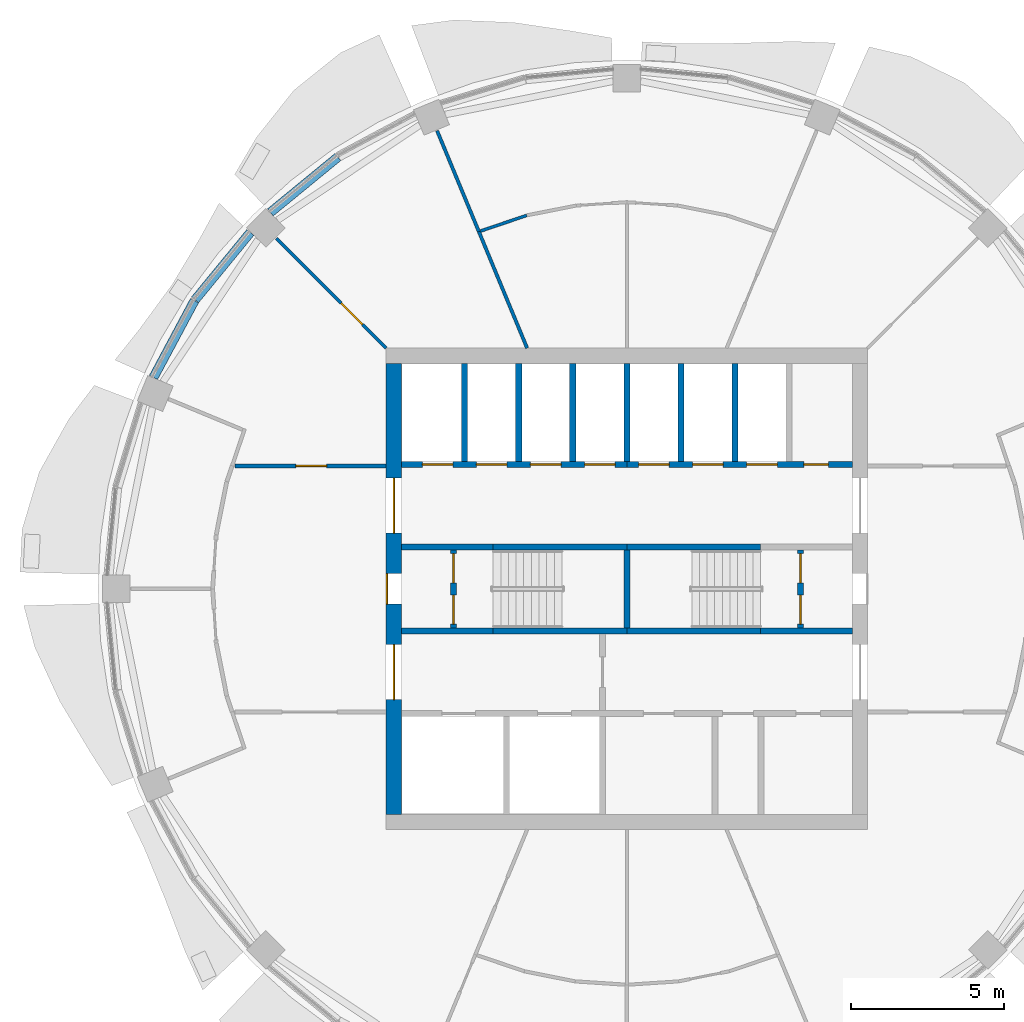
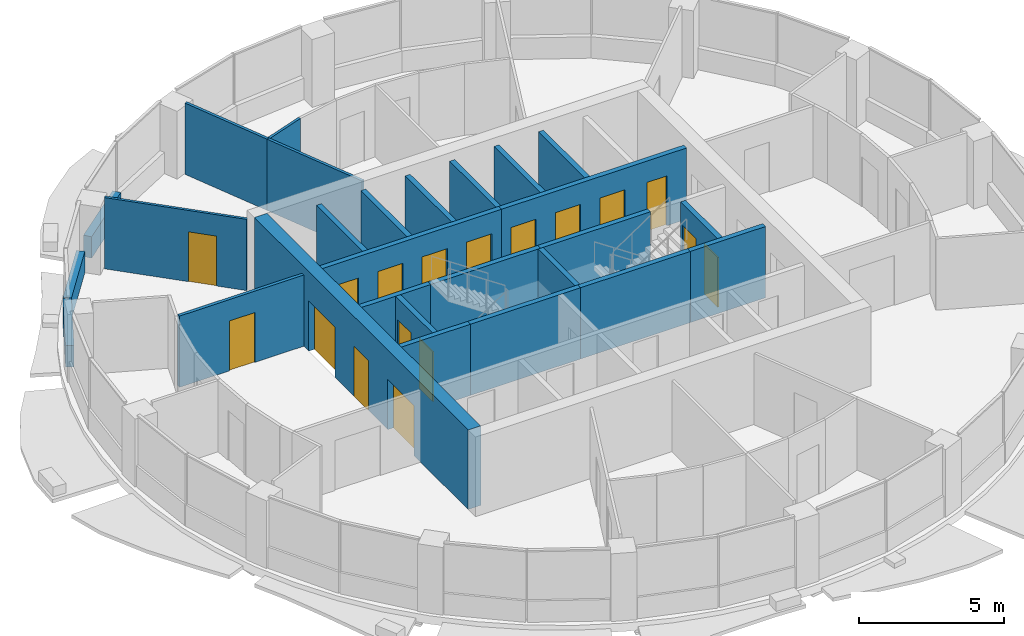
# One storey, part 9 of 15: 27 walls, 17 doors, 17 openings.
"""IFC4 building model written with IfcOpenShell, lengths in metres."""

from ifc_helpers import new_model, si_unit, direction, frame, frame_2d, origin, place, context, subcontext, project, spatial, rectangle, extrude, material, layer, layer_set, type_object, element, fill, save


model = new_model("IFC4")

# Units and contexts
model_context = context("Model", 3, precision=1e-05, world=origin(), true_north=direction((0.0, 1.0)))
body_context = subcontext(model_context, "Body", "Model", "MODEL_VIEW")
ifc_project = project(units=[si_unit("LENGTHUNIT", "METRE"), si_unit("AREAUNIT", "SQUARE_METRE"), si_unit("VOLUMEUNIT", "CUBIC_METRE"), si_unit("PLANEANGLEUNIT", "RADIAN"), si_unit("MASSUNIT", "GRAM", prefix="KILO")], contexts=[model_context])

# Site, building, storey
site_placement = place(None, origin())
site = spatial("IfcSite", under=ifc_project, at=site_placement, CompositionType="ELEMENT")
building_placement = place(site_placement, origin())
building = spatial("IfcBuilding", under=site, at=building_placement, Name="Polderwave Tower", CompositionType="ELEMENT")
storey_placement = place(building_placement, frame((0.0, 0.0, 201.050048828125)))
storey = spatial("IfcBuildingStorey", under=building, at=storey_placement, Name="L54", CompositionType="ELEMENT", Elevation=201.050048828125)

# Wall, openings, doors
ifc_material_1 = material(Name="Concrete C60/75", Category="concrete")
ifc_layer_1 = layer(ifc_material_1, 0.5)
ifc_layer_set_1 = layer_set([ifc_layer_1], Name="CORE WALL 500 C60/75")
wall_type_1 = type_object("IfcWallType", Name="CORE WALL 500 C60/75", PredefinedType="SHEAR", material=ifc_layer_set_1)
wall_1_placement = place(storey_placement, frame((-7.6240234375, -7.3740234375, 0.0), z_axis=(0.0, 0.0, 1.0), x_axis=(0.0, 1.0, 0.0)))
wall_1 = element("IfcWall", 1, at=wall_1_placement, inside=storey, type_object=wall_type_1, Name="ST-CORE-L54-W", PredefinedType="SHEAR", context=body_context, shape_type="SweptSolid", body=[
    extrude(rectangle(XDim=14.748046875, YDim=0.5, at=frame_2d((7.3740234375, 0.0))), origin(), (0.0, 0.0, 1.0), 3.349853515625),
])
opening_1_placement = place(wall_1_placement, frame((6.8740234375, 0.0, 0.0)))
opening_1 = element("IfcOpeningElement", 2, at=opening_1_placement, cuts=wall_1, Name="Opening L54-D19", PredefinedType="OPENING", context=body_context, shape_type="SweptSolid", body=[
    extrude(rectangle(XDim=1.0, YDim=2.10009765625, at=frame_2d((0.5, 1.050048828125))), frame((0.0, 0.260009765625, 0.0), z_axis=(0.0, -1.0, 0.0), x_axis=(1.0, 0.0, 0.0)), (0.0, 0.0, 1.0), 0.52001953125),
])
opening_2_placement = place(wall_1_placement, frame((3.74951171875, 0.0, 0.0)))
opening_2 = element("IfcOpeningElement", 3, at=opening_2_placement, cuts=wall_1, Name="Opening L54-D20", PredefinedType="OPENING", context=body_context, shape_type="SweptSolid", body=[
    extrude(rectangle(XDim=1.800048828125, YDim=2.10009765625, at=frame_2d((0.89990234375, 1.050048828125))), frame((0.0, 0.260009765625, 0.0), z_axis=(0.0, -1.0, 0.0), x_axis=(1.0, 0.0, 0.0)), (0.0, 0.0, 1.0), 0.52001953125),
])
opening_3_placement = place(wall_1_placement, frame((9.198486328125, 0.0, 0.0)))
opening_3 = element("IfcOpeningElement", 4, at=opening_3_placement, cuts=wall_1, Name="Opening L54-D21", PredefinedType="OPENING", context=body_context, shape_type="SweptSolid", body=[
    extrude(rectangle(XDim=1.800048828125, YDim=2.10009765625, at=frame_2d((0.89990234375, 1.050048828125))), frame((0.0, 0.260009765625, 0.0), z_axis=(0.0, -1.0, 0.0), x_axis=(1.0, 0.0, 0.0)), (0.0, 0.0, 1.0), 0.52001953125),
])
ifc_material_2 = material(Name="Steel fire door", Category="steel")
door_type_1 = type_object("IfcDoorType", Name="Lobby entry door pair 1800", OperationType="DOUBLE_DOOR_SINGLE_SWING", PredefinedType="DOOR", material=ifc_material_2)
door_1_placement = place(opening_2_placement, origin())
door_1 = element("IfcDoor", 5, at=door_1_placement, inside=storey, type_object=door_type_1, Name="Fire-fighting lobby entry door", OperationType="DOUBLE_DOOR_SINGLE_SWING", OverallHeight=2.10009765625, OverallWidth=1.800048828125, PredefinedType="DOOR", context=body_context, shape_type="SweptSolid", body=[
    extrude(rectangle(XDim=1.800048828125, YDim=2.10009765625, at=frame_2d((0.89990234375, 1.050048828125))), frame((0.0, 0.02490234375, 0.0), z_axis=(0.0, -1.0, 0.0), x_axis=(1.0, 0.0, 0.0)), (0.0, 0.0, 1.0), 0.050048828125),
])
fill(opening_2, door_1)
door_2_placement = place(opening_3_placement, origin())
door_2 = element("IfcDoor", 6, at=door_2_placement, inside=storey, type_object=door_type_1, Name="North lobby entry door", OperationType="DOUBLE_DOOR_SINGLE_SWING", OverallHeight=2.10009765625, OverallWidth=1.800048828125, PredefinedType="DOOR", context=body_context, shape_type="SweptSolid", body=[
    extrude(rectangle(XDim=1.800048828125, YDim=2.10009765625, at=frame_2d((0.89990234375, 1.050048828125))), frame((0.0, 0.02490234375, 0.0), z_axis=(0.0, -1.0, 0.0), x_axis=(1.0, 0.0, 0.0)), (0.0, 0.0, 1.0), 0.050048828125),
])
fill(opening_3, door_2)
door_type_2 = type_object("IfcDoorType", Name="Stair door 1000", OperationType="NOTDEFINED", PredefinedType="DOOR", material=ifc_material_2)
door_3_placement = place(opening_1_placement, origin())
door_3 = element("IfcDoor", 7, at=door_3_placement, inside=storey, type_object=door_type_2, Name="Stair A entry door", OperationType="SINGLE_SWING_RIGHT", OverallHeight=2.10009765625, OverallWidth=1.0, PredefinedType="DOOR", context=body_context, shape_type="SweptSolid", body=[
    extrude(rectangle(XDim=1.0, YDim=2.10009765625, at=frame_2d((0.5, 1.050048828125))), frame((0.0, 0.25, 0.0), z_axis=(0.0, -1.0, 0.0), x_axis=(1.0, 0.0, 0.0)), (0.0, 0.0, 1.0), 0.050048828125),
])
fill(opening_1, door_3)

# Walls
ifc_material_3 = material(Name="Concrete C50/60 (board-marked)", Category="concrete")
ifc_layer_2 = layer(ifc_material_3, 0.300048828125)
ifc_layer_set_2 = layer_set([ifc_layer_2], Name="Concrete spandrel upstand C50/60")
wall_type_2 = type_object("IfcWallType", Name="Concrete spandrel upstand C50/60", PredefinedType="SOLIDWALL", material=ifc_layer_set_2)
for number, where, z_axis, x_axis, name in (
    (8, (-9.45556640625, 14.12548828125, 0.0), (0.0, 0.0, 1.0), (-0.773213238462, -0.634146109242, 0.0), "Spandrel L54 6b"),
    (9, (-12.31640625, 11.661376953125, 0.0), (0.0, 0.0, 1.0), (-0.634146109242, -0.773213238462, 0.0), "Spandrel L54 7a"),
):
    element("IfcWall", number, at=place(storey_placement, frame(where, z_axis=z_axis, x_axis=x_axis)), inside=storey, type_object=wall_type_2, Name=name, PredefinedType="SOLIDWALL", context=body_context, shape_type="SweptSolid", body=[
        extrude(rectangle(XDim=2.852783203125, YDim=0.300048828125, at=frame_2d((1.42626953125, 0.0))), origin(), (0.0, 0.0, 1.0), 0.89990234375),
    ])
wall_2_placement = place(storey_placement, frame((-14.14208984375, 9.430908203125, 0.0), z_axis=(0.0, 0.0, 1.0), x_axis=(-0.471441594872, -0.881897285756, 0.0)))
element("IfcWall", 10, at=wall_2_placement, inside=storey, type_object=wall_type_2, Name="Spandrel L54 7b", PredefinedType="SOLIDWALL", context=body_context, shape_type="SweptSolid", body=[
    extrude(rectangle(XDim=2.850341796875, YDim=0.300048828125, at=frame_2d((1.42529296875, 0.0))), origin(), (0.0, 0.0, 1.0), 0.89990234375),
])

# Wall, openings, doors
ifc_material_4 = material(Name="Gypsum board partition")
ifc_layer_3 = layer(ifc_material_4, 0.199951171875)
ifc_layer_set_3 = layer_set([ifc_layer_3], Name="Core room partition 200")
wall_type_3 = type_object("IfcWallType", Name="Core room partition 200", PredefinedType="PARTITIONING", material=ifc_layer_set_3)
wall_3_placement = place(storey_placement, frame((-5.674072265625, -1.27490234375, 0.0), z_axis=(0.0, 0.0, 1.0), x_axis=(0.0, 1.0, 0.0)))
wall_3 = element("IfcWall", 11, at=wall_3_placement, inside=storey, type_object=wall_type_3, Name="L54 smoke lobby wall A", PredefinedType="PARTITIONING", context=body_context, shape_type="SweptSolid", body=[
    extrude(rectangle(XDim=2.5498046875, YDim=0.199951171875, at=frame_2d((1.27490234375, 0.0))), origin(), (0.0, 0.0, 1.0), 3.0),
])
opening_4_placement = place(wall_3_placement, frame((0.125, 0.0, 0.0)))
opening_4 = element("IfcOpeningElement", 12, at=opening_4_placement, cuts=wall_3, Name="Opening L54-D10", PredefinedType="OPENING", context=body_context, shape_type="SweptSolid", body=[
    extrude(rectangle(XDim=0.949951171875, YDim=2.10009765625, at=frame_2d((0.47509765625, 1.050048828125))), frame((0.0, 0.10986328125, 0.0), z_axis=(0.0, -1.0, 0.0), x_axis=(1.0, 0.0, 0.0)), (0.0, 0.0, 1.0), 0.219970703125),
])
opening_5_placement = place(wall_3_placement, frame((1.47509765625, 0.0, 0.0)))
opening_5 = element("IfcOpeningElement", 13, at=opening_5_placement, cuts=wall_3, Name="Opening L54-D11", PredefinedType="OPENING", context=body_context, shape_type="SweptSolid", body=[
    extrude(rectangle(XDim=0.949951171875, YDim=2.10009765625, at=frame_2d((0.47509765625, 1.050048828125))), frame((0.0, 0.10986328125, 0.0), z_axis=(0.0, -1.0, 0.0), x_axis=(1.0, 0.0, 0.0)), (0.0, 0.0, 1.0), 0.219970703125),
])
door_type_3 = type_object("IfcDoorType", Name="Smoke lobby door 950", OperationType="NOTDEFINED", PredefinedType="DOOR", material=ifc_material_2)
door_4_placement = place(opening_4_placement, origin())
door_4 = element("IfcDoor", 14, at=door_4_placement, inside=storey, type_object=door_type_3, Name="Stair A smoke lobby inner door", OperationType="SINGLE_SWING_LEFT", OverallHeight=2.10009765625, OverallWidth=0.949951171875, PredefinedType="DOOR", context=body_context, shape_type="SweptSolid", body=[
    extrude(rectangle(XDim=0.949951171875, YDim=2.10009765625, at=frame_2d((0.47509765625, 1.050048828125))), frame((0.0, 0.02490234375, 0.0), z_axis=(0.0, -1.0, 0.0), x_axis=(1.0, 0.0, 0.0)), (0.0, 0.0, 1.0), 0.050048828125),
])
fill(opening_4, door_4)
door_5_placement = place(opening_5_placement, origin())
door_5 = element("IfcDoor", 15, at=door_5_placement, inside=storey, type_object=door_type_3, Name="Stair A smoke lobby inner door", OperationType="SINGLE_SWING_RIGHT", OverallHeight=2.10009765625, OverallWidth=0.949951171875, PredefinedType="DOOR", context=body_context, shape_type="SweptSolid", body=[
    extrude(rectangle(XDim=0.949951171875, YDim=2.10009765625, at=frame_2d((0.47509765625, 1.050048828125))), frame((0.0, 0.02490234375, 0.0), z_axis=(0.0, -1.0, 0.0), x_axis=(1.0, 0.0, 0.0)), (0.0, 0.0, 1.0), 0.050048828125),
])
fill(opening_5, door_5)

wall_4_placement = place(storey_placement, frame((5.674072265625, -1.27490234375, 0.0), z_axis=(0.0, 0.0, 1.0), x_axis=(0.0, 1.0, 0.0)))
wall_4 = element("IfcWall", 16, at=wall_4_placement, inside=storey, type_object=wall_type_3, Name="L54 smoke lobby wall B", PredefinedType="PARTITIONING", context=body_context, shape_type="SweptSolid", body=[
    extrude(rectangle(XDim=2.5498046875, YDim=0.199951171875, at=frame_2d((1.27490234375, 0.0))), origin(), (0.0, 0.0, 1.0), 3.0),
])
opening_6_placement = place(wall_4_placement, frame((0.125, 0.0, 0.0)))
opening_6 = element("IfcOpeningElement", 17, at=opening_6_placement, cuts=wall_4, Name="Opening L54-D12", PredefinedType="OPENING", context=body_context, shape_type="SweptSolid", body=[
    extrude(rectangle(XDim=0.949951171875, YDim=2.10009765625, at=frame_2d((0.47509765625, 1.050048828125))), frame((0.0, 0.10986328125, 0.0), z_axis=(0.0, -1.0, 0.0), x_axis=(1.0, 0.0, 0.0)), (0.0, 0.0, 1.0), 0.219970703125),
])
opening_7_placement = place(wall_4_placement, frame((1.47509765625, 0.0, 0.0)))
opening_7 = element("IfcOpeningElement", 18, at=opening_7_placement, cuts=wall_4, Name="Opening L54-D13", PredefinedType="OPENING", context=body_context, shape_type="SweptSolid", body=[
    extrude(rectangle(XDim=0.949951171875, YDim=2.10009765625, at=frame_2d((0.47509765625, 1.050048828125))), frame((0.0, 0.10986328125, 0.0), z_axis=(0.0, -1.0, 0.0), x_axis=(1.0, 0.0, 0.0)), (0.0, 0.0, 1.0), 0.219970703125),
])
door_6_placement = place(opening_6_placement, frame((0.949951171875, 0.0, 0.0), z_axis=(0.0, 0.0, 1.0), x_axis=(-1.0, 0.0, 0.0)))
door_6 = element("IfcDoor", 19, at=door_6_placement, inside=storey, type_object=door_type_3, Name="Stair B smoke lobby inner door", OperationType="SINGLE_SWING_RIGHT", OverallHeight=2.10009765625, OverallWidth=0.949951171875, PredefinedType="DOOR", context=body_context, shape_type="SweptSolid", body=[
    extrude(rectangle(XDim=0.949951171875, YDim=2.10009765625, at=frame_2d((0.47509765625, 1.050048828125))), frame((0.0, 0.02490234375, 0.0), z_axis=(0.0, -1.0, 0.0), x_axis=(1.0, 0.0, 0.0)), (0.0, 0.0, 1.0), 0.050048828125),
])
fill(opening_6, door_6)
door_7_placement = place(opening_7_placement, frame((0.949951171875, 0.0, 0.0), z_axis=(0.0, 0.0, 1.0), x_axis=(-1.0, 0.0, 0.0)))
door_7 = element("IfcDoor", 20, at=door_7_placement, inside=storey, type_object=door_type_3, Name="Stair B smoke lobby inner door", OperationType="SINGLE_SWING_LEFT", OverallHeight=2.10009765625, OverallWidth=0.949951171875, PredefinedType="DOOR", context=body_context, shape_type="SweptSolid", body=[
    extrude(rectangle(XDim=0.949951171875, YDim=2.10009765625, at=frame_2d((0.47509765625, 1.050048828125))), frame((0.0, 0.02490234375, 0.0), z_axis=(0.0, -1.0, 0.0), x_axis=(1.0, 0.0, 0.0)), (0.0, 0.0, 1.0), 0.050048828125),
])
fill(opening_7, door_7)

ifc_material_5 = material(Name="Concrete C50/60", Category="concrete")
ifc_layer_4 = layer(ifc_material_5, 0.199951171875)
ifc_layer_set_4 = layer_set([ifc_layer_4], Name="Core web wall 200")
wall_type_4 = type_object("IfcWallType", Name="Core web wall 200", PredefinedType="SHEAR", material=ifc_layer_set_4)
wall_5_placement = place(storey_placement, frame((-7.3740234375, 4.073974609375, 0.0), z_axis=(0.0, 0.0, 1.0), x_axis=(1.0, 0.0, 0.0)))
wall_5 = element("IfcWall", 21, at=wall_5_placement, inside=storey, type_object=wall_type_4, Name="L54 north front wall 1", PredefinedType="SHEAR", context=body_context, shape_type="SweptSolid", body=[
    extrude(rectangle(XDim=7.3740234375, YDim=0.199951171875, at=frame_2d((3.68701171875, 0.0))), origin(), (0.0, 0.0, 1.0), 3.0),
])
opening_8_placement = place(wall_5_placement, frame((0.68408203125, 0.0, 0.0)))
opening_8 = element("IfcOpeningElement", 22, at=opening_8_placement, cuts=wall_5, Name="Opening L54-D03", PredefinedType="OPENING", context=body_context, shape_type="SweptSolid", body=[
    extrude(rectangle(XDim=1.0, YDim=2.10009765625, at=frame_2d((0.5, 1.050048828125))), frame((0.0, 0.10986328125, 0.0), z_axis=(0.0, -1.0, 0.0), x_axis=(1.0, 0.0, 0.0)), (0.0, 0.0, 1.0), 0.219970703125),
])
opening_9_placement = place(wall_5_placement, frame((2.45263671875, 0.0, 0.0)))
opening_9 = element("IfcOpeningElement", 23, at=opening_9_placement, cuts=wall_5, Name="Opening L54-D04", PredefinedType="OPENING", context=body_context, shape_type="SweptSolid", body=[
    extrude(rectangle(XDim=1.0, YDim=2.10009765625, at=frame_2d((0.5, 1.050048828125))), frame((0.0, 0.10986328125, 0.0), z_axis=(0.0, -1.0, 0.0), x_axis=(1.0, 0.0, 0.0)), (0.0, 0.0, 1.0), 0.219970703125),
])
opening_10_placement = place(wall_5_placement, frame((4.22119140625, 0.0, 0.0)))
opening_10 = element("IfcOpeningElement", 24, at=opening_10_placement, cuts=wall_5, Name="Opening L54-D05", PredefinedType="OPENING", context=body_context, shape_type="SweptSolid", body=[
    extrude(rectangle(XDim=1.0, YDim=2.10009765625, at=frame_2d((0.5, 1.050048828125))), frame((0.0, 0.10986328125, 0.0), z_axis=(0.0, -1.0, 0.0), x_axis=(1.0, 0.0, 0.0)), (0.0, 0.0, 1.0), 0.219970703125),
])
opening_11_placement = place(wall_5_placement, frame((5.98974609375, 0.0, 0.0)))
opening_11 = element("IfcOpeningElement", 25, at=opening_11_placement, cuts=wall_5, Name="Opening L54-D06", PredefinedType="OPENING", context=body_context, shape_type="SweptSolid", body=[
    extrude(rectangle(XDim=1.0, YDim=2.10009765625, at=frame_2d((0.5, 1.050048828125))), frame((0.0, 0.10986328125, 0.0), z_axis=(0.0, -1.0, 0.0), x_axis=(1.0, 0.0, 0.0)), (0.0, 0.0, 1.0), 0.219970703125),
])
ifc_material_6 = material(Name="Stainless steel", Category="steel")
door_type_4 = type_object("IfcDoorType", Name="Lift landing door 1000", OperationType="DOUBLE_DOOR_SLIDING", PredefinedType="DOOR", material=ifc_material_6)
door_8_placement = place(opening_8_placement, frame((1.0, 0.0, 0.0), z_axis=(0.0, 0.0, 1.0), x_axis=(-1.0, 0.0, 0.0)))
door_8 = element("IfcDoor", 26, at=door_8_placement, inside=storey, type_object=door_type_4, Name="Lift HL1 landing door", OperationType="DOUBLE_DOOR_SLIDING", OverallHeight=2.10009765625, OverallWidth=1.0, PredefinedType="DOOR", context=body_context, shape_type="SweptSolid", body=[
    extrude(rectangle(XDim=1.0, YDim=2.10009765625, at=frame_2d((0.5, 1.050048828125))), frame((0.0, 0.02490234375, 0.0), z_axis=(0.0, -1.0, 0.0), x_axis=(1.0, 0.0, 0.0)), (0.0, 0.0, 1.0), 0.050048828125),
])
fill(opening_8, door_8)
door_9_placement = place(opening_9_placement, frame((1.0, 0.0, 0.0), z_axis=(0.0, 0.0, 1.0), x_axis=(-1.0, 0.0, 0.0)))
door_9 = element("IfcDoor", 27, at=door_9_placement, inside=storey, type_object=door_type_4, Name="Lift HL2 landing door", OperationType="DOUBLE_DOOR_SLIDING", OverallHeight=2.10009765625, OverallWidth=1.0, PredefinedType="DOOR", context=body_context, shape_type="SweptSolid", body=[
    extrude(rectangle(XDim=1.0, YDim=2.10009765625, at=frame_2d((0.5, 1.050048828125))), frame((0.0, 0.02490234375, 0.0), z_axis=(0.0, -1.0, 0.0), x_axis=(1.0, 0.0, 0.0)), (0.0, 0.0, 1.0), 0.050048828125),
])
fill(opening_9, door_9)
door_10_placement = place(opening_10_placement, frame((1.0, 0.0, 0.0), z_axis=(0.0, 0.0, 1.0), x_axis=(-1.0, 0.0, 0.0)))
door_10 = element("IfcDoor", 28, at=door_10_placement, inside=storey, type_object=door_type_4, Name="Lift HL3 landing door", OperationType="DOUBLE_DOOR_SLIDING", OverallHeight=2.10009765625, OverallWidth=1.0, PredefinedType="DOOR", context=body_context, shape_type="SweptSolid", body=[
    extrude(rectangle(XDim=1.0, YDim=2.10009765625, at=frame_2d((0.5, 1.050048828125))), frame((0.0, 0.02490234375, 0.0), z_axis=(0.0, -1.0, 0.0), x_axis=(1.0, 0.0, 0.0)), (0.0, 0.0, 1.0), 0.050048828125),
])
fill(opening_10, door_10)
door_11_placement = place(opening_11_placement, frame((1.0, 0.0, 0.0), z_axis=(0.0, 0.0, 1.0), x_axis=(-1.0, 0.0, 0.0)))
door_11 = element("IfcDoor", 29, at=door_11_placement, inside=storey, type_object=door_type_4, Name="Lift HL4 landing door", OperationType="DOUBLE_DOOR_SLIDING", OverallHeight=2.10009765625, OverallWidth=1.0, PredefinedType="DOOR", context=body_context, shape_type="SweptSolid", body=[
    extrude(rectangle(XDim=1.0, YDim=2.10009765625, at=frame_2d((0.5, 1.050048828125))), frame((0.0, 0.02490234375, 0.0), z_axis=(0.0, -1.0, 0.0), x_axis=(1.0, 0.0, 0.0)), (0.0, 0.0, 1.0), 0.050048828125),
])
fill(opening_11, door_11)

wall_6_placement = place(storey_placement, frame((0.0, 4.073974609375, 0.0), z_axis=(0.0, 0.0, 1.0), x_axis=(1.0, 0.0, 0.0)))
wall_6 = element("IfcWall", 30, at=wall_6_placement, inside=storey, type_object=wall_type_4, Name="L54 north front wall 2", PredefinedType="SHEAR", context=body_context, shape_type="SweptSolid", body=[
    extrude(rectangle(XDim=7.3740234375, YDim=0.199951171875, at=frame_2d((3.68701171875, 0.0))), origin(), (0.0, 0.0, 1.0), 3.0),
])
opening_12_placement = place(wall_6_placement, frame((0.38427734375, 0.0, 0.0)))
opening_12 = element("IfcOpeningElement", 31, at=opening_12_placement, cuts=wall_6, Name="Opening L54-D07", PredefinedType="OPENING", context=body_context, shape_type="SweptSolid", body=[
    extrude(rectangle(XDim=1.0, YDim=2.10009765625, at=frame_2d((0.5, 1.050048828125))), frame((0.0, 0.10986328125, 0.0), z_axis=(0.0, -1.0, 0.0), x_axis=(1.0, 0.0, 0.0)), (0.0, 0.0, 1.0), 0.219970703125),
])
opening_13_placement = place(wall_6_placement, frame((2.15283203125, 0.0, 0.0)))
opening_13 = element("IfcOpeningElement", 32, at=opening_13_placement, cuts=wall_6, Name="Opening L54-D08", PredefinedType="OPENING", context=body_context, shape_type="SweptSolid", body=[
    extrude(rectangle(XDim=1.0, YDim=2.10009765625, at=frame_2d((0.5, 1.050048828125))), frame((0.0, 0.10986328125, 0.0), z_axis=(0.0, -1.0, 0.0), x_axis=(1.0, 0.0, 0.0)), (0.0, 0.0, 1.0), 0.219970703125),
])
opening_14_placement = place(wall_6_placement, frame((3.921142578125, 0.0, 0.0)))
opening_14 = element("IfcOpeningElement", 33, at=opening_14_placement, cuts=wall_6, Name="Opening L54-D09", PredefinedType="OPENING", context=body_context, shape_type="SweptSolid", body=[
    extrude(rectangle(XDim=1.0, YDim=2.10009765625, at=frame_2d((0.5, 1.050048828125))), frame((0.0, 0.10986328125, 0.0), z_axis=(0.0, -1.0, 0.0), x_axis=(1.0, 0.0, 0.0)), (0.0, 0.0, 1.0), 0.219970703125),
])
opening_15_placement = place(wall_6_placement, frame((5.789794921875, 0.0, 0.0)))
opening_15 = element("IfcOpeningElement", 34, at=opening_15_placement, cuts=wall_6, Name="Opening L54-D18", PredefinedType="OPENING", context=body_context, shape_type="SweptSolid", body=[
    extrude(rectangle(XDim=0.800048828125, YDim=2.10009765625, at=frame_2d((0.39990234375, 1.050048828125))), frame((0.0, 0.10986328125, 0.0), z_axis=(0.0, -1.0, 0.0), x_axis=(1.0, 0.0, 0.0)), (0.0, 0.0, 1.0), 0.219970703125),
])
door_12_placement = place(opening_12_placement, frame((1.0, 0.0, 0.0), z_axis=(0.0, 0.0, 1.0), x_axis=(-1.0, 0.0, 0.0)))
door_12 = element("IfcDoor", 35, at=door_12_placement, inside=storey, type_object=door_type_4, Name="Lift HL5 landing door", OperationType="DOUBLE_DOOR_SLIDING", OverallHeight=2.10009765625, OverallWidth=1.0, PredefinedType="DOOR", context=body_context, shape_type="SweptSolid", body=[
    extrude(rectangle(XDim=1.0, YDim=2.10009765625, at=frame_2d((0.5, 1.050048828125))), frame((0.0, 0.02490234375, 0.0), z_axis=(0.0, -1.0, 0.0), x_axis=(1.0, 0.0, 0.0)), (0.0, 0.0, 1.0), 0.050048828125),
])
fill(opening_12, door_12)
door_13_placement = place(opening_13_placement, frame((1.0, 0.0, 0.0), z_axis=(0.0, 0.0, 1.0), x_axis=(-1.0, 0.0, 0.0)))
door_13 = element("IfcDoor", 36, at=door_13_placement, inside=storey, type_object=door_type_4, Name="Lift HL6 landing door", OperationType="DOUBLE_DOOR_SLIDING", OverallHeight=2.10009765625, OverallWidth=1.0, PredefinedType="DOOR", context=body_context, shape_type="SweptSolid", body=[
    extrude(rectangle(XDim=1.0, YDim=2.10009765625, at=frame_2d((0.5, 1.050048828125))), frame((0.0, 0.02490234375, 0.0), z_axis=(0.0, -1.0, 0.0), x_axis=(1.0, 0.0, 0.0)), (0.0, 0.0, 1.0), 0.050048828125),
])
fill(opening_13, door_13)
door_14_placement = place(opening_14_placement, frame((1.0, 0.0, 0.0), z_axis=(0.0, 0.0, 1.0), x_axis=(-1.0, 0.0, 0.0)))
door_14 = element("IfcDoor", 37, at=door_14_placement, inside=storey, type_object=door_type_4, Name="Lift HL7 landing door", OperationType="DOUBLE_DOOR_SLIDING", OverallHeight=2.10009765625, OverallWidth=1.0, PredefinedType="DOOR", context=body_context, shape_type="SweptSolid", body=[
    extrude(rectangle(XDim=1.0, YDim=2.10009765625, at=frame_2d((0.5, 1.050048828125))), frame((0.0, 0.02490234375, 0.0), z_axis=(0.0, -1.0, 0.0), x_axis=(1.0, 0.0, 0.0)), (0.0, 0.0, 1.0), 0.050048828125),
])
fill(opening_14, door_14)
door_type_5 = type_object("IfcDoorType", Name="Riser door 800", OperationType="NOTDEFINED", PredefinedType="DOOR", material=ifc_material_2)
door_15_placement = place(opening_15_placement, frame((0.800048828125, 0.0, 0.0), z_axis=(0.0, 0.0, 1.0), x_axis=(-1.0, 0.0, 0.0)))
door_15 = element("IfcDoor", 38, at=door_15_placement, inside=storey, type_object=door_type_5, Name="Riser door", OperationType="SINGLE_SWING_LEFT", OverallHeight=2.10009765625, OverallWidth=0.800048828125, PredefinedType="DOOR", context=body_context, shape_type="SweptSolid", body=[
    extrude(rectangle(XDim=0.800048828125, YDim=2.10009765625, at=frame_2d((0.39990234375, 1.050048828125))), frame((0.0, 0.02490234375, 0.0), z_axis=(0.0, -1.0, 0.0), x_axis=(1.0, 0.0, 0.0)), (0.0, 0.0, 1.0), 0.050048828125),
])
fill(opening_15, door_15)

# Walls
wall_7_placement = place(storey_placement, frame((-7.3740234375, -1.375, 0.0), z_axis=(0.0, 0.0, 1.0), x_axis=(1.0, 0.0, 0.0)))
element("IfcWall", 39, at=wall_7_placement, inside=storey, type_object=wall_type_4, Name="L54 south stair wall 1", PredefinedType="SHEAR", context=body_context, shape_type="SweptSolid", body=[
    extrude(rectangle(XDim=3.0, YDim=0.199951171875, at=frame_2d((1.5, 0.0))), origin(), (0.0, 0.0, 1.0), 3.0),
])
for number, where, z_axis, x_axis, name in (
    (40, (-4.3740234375, -1.375, 0.0), (0.0, 0.0, 1.0), (1.0, 0.0, 0.0), "L54 south stair wall 2"),
    (41, (0.0, -1.375, 0.0), (0.0, 0.0, 1.0), (1.0, 0.0, 0.0), "L54 south stair wall 3"),
):
    element("IfcWall", number, at=place(storey_placement, frame(where, z_axis=z_axis, x_axis=x_axis)), inside=storey, type_object=wall_type_4, Name=name, PredefinedType="SHEAR", context=body_context, shape_type="SweptSolid", body=[
        extrude(rectangle(XDim=4.3740234375, YDim=0.199951171875, at=frame_2d((2.18701171875, 0.0))), origin(), (0.0, 0.0, 1.0), 3.0),
    ])
for number, where, z_axis, x_axis, name in (
    (42, (4.3740234375, -1.375, 0.0), (0.0, 0.0, 1.0), (1.0, 0.0, 0.0), "L54 south stair wall 4"),
    (43, (-7.3740234375, 1.375, 0.0), (0.0, 0.0, 1.0), (1.0, 0.0, 0.0), "L54 north stair wall 1"),
):
    element("IfcWall", number, at=place(storey_placement, frame(where, z_axis=z_axis, x_axis=x_axis)), inside=storey, type_object=wall_type_4, Name=name, PredefinedType="SHEAR", context=body_context, shape_type="SweptSolid", body=[
        extrude(rectangle(XDim=3.0, YDim=0.199951171875, at=frame_2d((1.5, 0.0))), origin(), (0.0, 0.0, 1.0), 3.0),
    ])
for number, where, z_axis, x_axis, name in (
    (44, (-4.3740234375, 1.375, 0.0), (0.0, 0.0, 1.0), (1.0, 0.0, 0.0), "L54 north stair wall 2"),
    (45, (0.0, 1.375, 0.0), (0.0, 0.0, 1.0), (1.0, 0.0, 0.0), "L54 north stair wall 3"),
):
    element("IfcWall", number, at=place(storey_placement, frame(where, z_axis=z_axis, x_axis=x_axis)), inside=storey, type_object=wall_type_4, Name=name, PredefinedType="SHEAR", context=body_context, shape_type="SweptSolid", body=[
        extrude(rectangle(XDim=4.3740234375, YDim=0.199951171875, at=frame_2d((2.18701171875, 0.0))), origin(), (0.0, 0.0, 1.0), 3.0),
    ])
wall_8_placement = place(storey_placement, frame((0.0, -1.27490234375, 0.0), z_axis=(0.0, 0.0, 1.0), x_axis=(0.0, 1.0, 0.0)))
element("IfcWall", 46, at=wall_8_placement, inside=storey, type_object=wall_type_4, Name="L54 wall between the stairs", PredefinedType="SHEAR", context=body_context, shape_type="SweptSolid", body=[
    extrude(rectangle(XDim=2.5498046875, YDim=0.199951171875, at=frame_2d((1.27490234375, 0.0))), origin(), (0.0, 0.0, 1.0), 3.0),
])

# Wall, opening, door
ifc_material_7 = material(Name="Fire-resisting board on steel studs", Category="steel")
ifc_layer_5 = layer(ifc_material_7, 0.125)
ifc_layer_set_5 = layer_set([ifc_layer_5], Name="Corridor wall 125 mm EI 60")
wall_type_5 = type_object("IfcWallType", Name="Corridor wall 125 mm EI 60", PredefinedType="PARTITIONING", material=ifc_layer_set_5)
wall_9_placement = place(storey_placement, frame((-12.825439453125, 4.0244140625, 0.0), z_axis=(0.0, 0.0, 1.0), x_axis=(1.0, 0.0, 0.0)))
wall_9 = element("IfcWall", 47, at=wall_9_placement, inside=storey, type_object=wall_type_5, Name="IN-L54-W009", PredefinedType="PARTITIONING", context=body_context, shape_type="SweptSolid", body=[
    extrude(rectangle(XDim=4.951416015625, YDim=0.125, at=frame_2d((2.4755859375, 0.0))), origin(), (0.0, 0.0, 1.0), 3.0),
])
opening_16_placement = place(wall_9_placement, frame((2.0, 0.0, 0.0)))
opening_16 = element("IfcOpeningElement", 48, at=opening_16_placement, cuts=wall_9, Name="Opening L54-D54", PredefinedType="OPENING", context=body_context, shape_type="SweptSolid", body=[
    extrude(rectangle(XDim=1.0, YDim=2.10009765625, at=frame_2d((0.5, 1.050048828125))), frame((0.0, 0.072509765625, 0.0), z_axis=(0.0, -1.0, 0.0), x_axis=(1.0, 0.0, 0.0)), (0.0, 0.0, 1.0), 0.14501953125),
])
ifc_material_8 = material(Name="Timber fire door leaf", Category="wood")
door_type_6 = type_object("IfcDoorType", Name="Fire door FD30S 1000 x 2100", OperationType="NOTDEFINED", PredefinedType="DOOR", material=ifc_material_8)
door_16_placement = place(opening_16_placement, origin())
door_16 = element("IfcDoor", 49, at=door_16_placement, inside=storey, type_object=door_type_6, Name="Door L54-D54", OperationType="SINGLE_SWING_RIGHT", OverallHeight=2.10009765625, OverallWidth=1.0, PredefinedType="DOOR", context=body_context, shape_type="SweptSolid", body=[
    extrude(rectangle(XDim=1.0, YDim=2.10009765625, at=frame_2d((0.5, 1.050048828125))), frame((0.0, 0.02490234375, 0.0), z_axis=(0.0, -1.0, 0.0), x_axis=(1.0, 0.0, 0.0)), (0.0, 0.0, 1.0), 0.050048828125),
])
fill(opening_16, door_16)

# Wall
ifc_material_9 = material(Name="Plasterboard on steel studs", Category="steel")
ifc_layer_6 = layer(ifc_material_9, 0.10009765625)
ifc_layer_set_6 = layer_set([ifc_layer_6], Name="Partition 100 mm plasterboard on steel studs")
wall_type_6 = type_object("IfcWallType", Name="Partition 100 mm plasterboard on steel studs", PredefinedType="PARTITIONING", material=ifc_layer_set_6)
wall_10_placement = place(storey_placement, frame((-3.277099609375, 12.218017578125, 0.0), z_axis=(0.0, 0.0, 1.0), x_axis=(-0.946906238322, -0.321509837838, 0.0)))
element("IfcWall", 50, at=wall_10_placement, inside=storey, type_object=wall_type_6, Name="IN-L54-W027", PredefinedType="PARTITIONING", context=body_context, shape_type="SweptSolid", body=[
    extrude(rectangle(XDim=1.593017578125, YDim=0.10009765625, at=frame_2d((0.79638671875, 0.0))), origin(), (0.0, 0.0, 1.0), 3.0),
])

# Wall, opening, door
wall_11_placement = place(storey_placement, frame((-11.46923828125, 11.46923828125, 0.0), z_axis=(0.0, 0.0, 1.0), x_axis=(0.707106781187, -0.707106781187, 0.0)))
wall_11 = element("IfcWall", 51, at=wall_11_placement, inside=storey, type_object=wall_type_6, Name="IN-L54-W032", PredefinedType="PARTITIONING", context=body_context, shape_type="SweptSolid", body=[
    extrude(rectangle(XDim=5.08447265625, YDim=0.10009765625, at=frame_2d((2.542236328125, 0.0))), origin(), (0.0, 0.0, 1.0), 3.0),
])
opening_17_placement = place(wall_11_placement, frame((3.0, 0.0, 0.0)))
opening_17 = element("IfcOpeningElement", 52, at=opening_17_placement, cuts=wall_11, Name="Opening L54-D62", PredefinedType="OPENING", context=body_context, shape_type="SweptSolid", body=[
    extrude(rectangle(XDim=1.0, YDim=2.10009765625, at=frame_2d((0.5, 1.050048828125))), frame((0.0, 0.06005859375, 0.0), z_axis=(0.0, -1.0, 0.0), x_axis=(1.0, 0.0, 0.0)), (0.0, 0.0, 1.0), 0.1201171875),
])
ifc_material_10 = material(Name="Timber veneer door leaf", Category="wood")
door_type_7 = type_object("IfcDoorType", Name="Single door 1000 x 2100", OperationType="NOTDEFINED", PredefinedType="DOOR", material=ifc_material_10)
door_17_placement = place(opening_17_placement, origin())
door_17 = element("IfcDoor", 53, at=door_17_placement, inside=storey, type_object=door_type_7, Name="Door L54-D62", OperationType="SINGLE_SWING_RIGHT", OverallHeight=2.10009765625, OverallWidth=1.0, PredefinedType="DOOR", context=body_context, shape_type="SweptSolid", body=[
    extrude(rectangle(XDim=1.0, YDim=2.10009765625, at=frame_2d((0.5, 1.050048828125))), frame((0.0, 0.02490234375, 0.0), z_axis=(0.0, -1.0, 0.0), x_axis=(1.0, 0.0, 0.0)), (0.0, 0.0, 1.0), 0.050048828125),
])
fill(opening_17, door_17)

# Walls
ifc_material_11 = material(Name="Acoustic double plasterboard on steel studs", Category="steel")
ifc_layer_7 = layer(ifc_material_11, 0.110107421875)
ifc_layer_set_7 = layer_set([ifc_layer_7], Name="Partition 110 mm acoustic double board")
wall_type_7 = type_object("IfcWallType", Name="Partition 110 mm acoustic double board", PredefinedType="PARTITIONING", material=ifc_layer_set_7)
wall_12_placement = place(storey_placement, frame((-4.8408203125, 11.68701171875, 0.0), z_axis=(0.0, 0.0, 1.0), x_axis=(-0.382681959822, 0.923880142457, 0.0)))
element("IfcWall", 54, at=wall_12_placement, inside=storey, type_object=wall_type_7, Name="IN-L54-W030", PredefinedType="PARTITIONING", context=body_context, shape_type="SweptSolid", body=[
    extrude(rectangle(XDim=3.570068359375, YDim=0.110107421875, at=frame_2d((1.78515625, 0.0))), origin(), (0.0, 0.0, 1.0), 3.0),
])
wall_13_placement = place(storey_placement, frame((-3.261474609375, 7.8740234375, 0.0), z_axis=(0.0, 0.0, 1.0), x_axis=(-0.382673969281, 0.923883452192, 0.0)))
element("IfcWall", 55, at=wall_13_placement, inside=storey, type_object=wall_type_7, Name="IN-L54-W031", PredefinedType="PARTITIONING", context=body_context, shape_type="SweptSolid", body=[
    extrude(rectangle(XDim=4.127197265625, YDim=0.110107421875, at=frame_2d((2.0634765625, 0.0))), origin(), (0.0, 0.0, 1.0), 3.0),
])
ifc_material_12 = material(Name="Gypsum shaft wall system")
ifc_layer_8 = layer(ifc_material_12, 0.199951171875)
ifc_layer_set_8 = layer_set([ifc_layer_8], Name="Shaft wall 200")
wall_type_8 = type_object("IfcWallType", Name="Shaft wall 200", PredefinedType="PARTITIONING", material=ifc_layer_set_8)
for number, where, z_axis, x_axis, name in (
    (56, (-5.305419921875, 4.174072265625, 0.0), (0.0, 0.0, 1.0), (0.0, 1.0, 0.0), "L54 lift shaft wall N1"),
    (57, (-3.537109375, 4.174072265625, 0.0), (0.0, 0.0, 1.0), (0.0, 1.0, 0.0), "L54 lift shaft wall N2"),
    (58, (-1.7685546875, 4.174072265625, 0.0), (0.0, 0.0, 1.0), (0.0, 1.0, 0.0), "L54 lift shaft wall N3"),
    (59, (0.0, 4.174072265625, 0.0), (0.0, 0.0, 1.0), (0.0, 1.0, 0.0), "L54 lift shaft wall N4"),
    (60, (1.7685546875, 4.174072265625, 0.0), (0.0, 0.0, 1.0), (0.0, 1.0, 0.0), "L54 lift shaft wall N5"),
    (61, (3.537109375, 4.174072265625, 0.0), (0.0, 0.0, 1.0), (0.0, 1.0, 0.0), "L54 lift shaft wall N6"),
):
    element("IfcWall", number, at=place(storey_placement, frame(where, z_axis=z_axis, x_axis=x_axis)), inside=storey, type_object=wall_type_8, Name=name, PredefinedType="PARTITIONING", context=body_context, shape_type="SweptSolid", body=[
        extrude(rectangle(XDim=3.199951171875, YDim=0.199951171875, at=frame_2d((1.60009765625, 0.0))), origin(), (0.0, 0.0, 1.0), 3.0),
    ])

save(model, "model.ifc")
